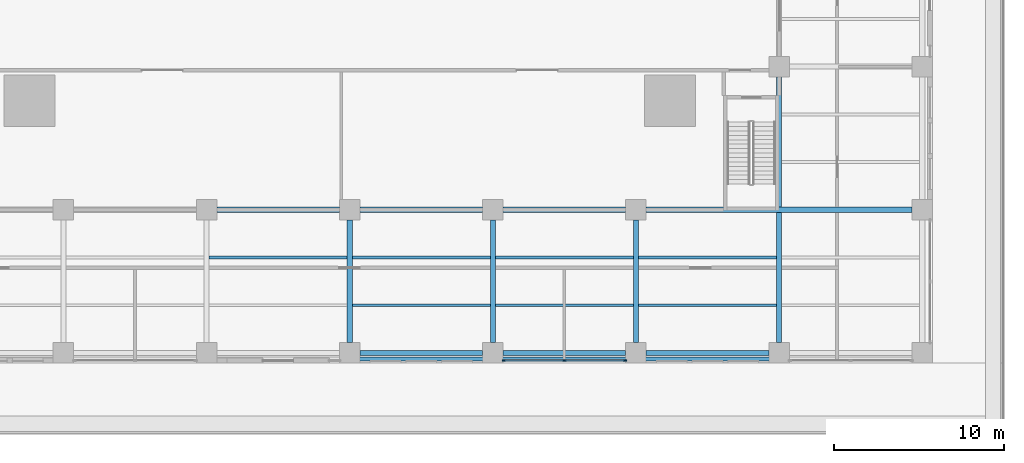
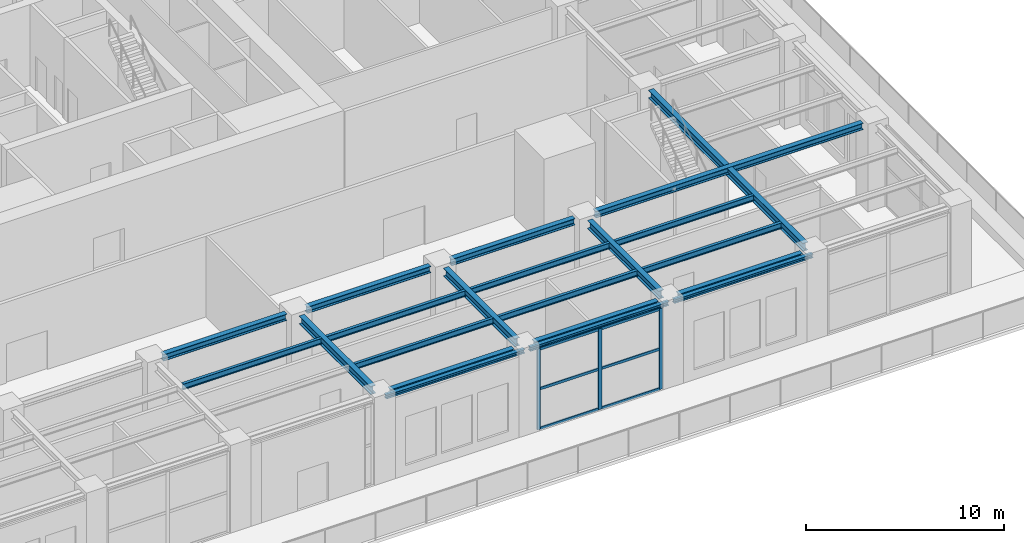
# One storey, part 3 of 36: 21 beams, 9 members, 1 element without a shape of its own.
"""IFC4 building model written with IfcOpenShell, lengths in metres."""

import ifcopenshell
import ifcopenshell.guid

model = None  # the IFC model being written
_history = None  # IfcOwnerHistory: only IFC2X3 demands one
_inside = {}  # id of a spatial element -> (the spatial element, [elements in it])
_under = {}  # id of a project, library or spatial element -> (it, [spatial elements below it])
_declared = {}  # id of a project -> (the project, [libraries it declares])
_typed = {}  # id of a type object -> (the type object, [elements of that type])
_made_of = {}  # id of a material, layer set ... -> (it, [elements and type objects made of it])


def new_model(schema):
    """Start an empty IFC model of exactly this schema.

    Asked for "IFC4X3", IfcOpenShell would pick the latest addendum, in which some entities
    have other attributes; the version numbers below select the first issue.
    IFC2X3 requires an IfcOwnerHistory on every rooted entity: one is made here for all.
    """
    global model, _history
    if schema == "IFC4X3":
        model = ifcopenshell.file(schema_version=(4, 3, 0, 0))
    else:
        model = ifcopenshell.file(schema=schema)
    _inside.clear()
    _under.clear()
    _declared.clear()
    _typed.clear()
    _made_of.clear()
    _history = None
    if model.schema == "IFC2X3":
        org = make("IfcOrganization", Name="unknown")
        user = make(
            "IfcPersonAndOrganization",
            ThePerson=make("IfcPerson", FamilyName="unknown"),
            TheOrganization=org,
        )
        app = make(
            "IfcApplication",
            ApplicationDeveloper=org,
            Version="unknown",
            ApplicationFullName="unknown",
            ApplicationIdentifier="unknown",
        )
        _history = make(
            "IfcOwnerHistory",
            OwningUser=user,
            OwningApplication=app,
            ChangeAction="ADDED",
            CreationDate=0,
        )
    return model


def make(cls, **values):
    """One entity of the class cls with the attributes given. An attribute that is None is left unset."""
    return model.create_entity(
        cls, **{name: value for name, value in values.items() if value is not None}
    )


def rooted(cls, **values):
    """An entity with a GlobalId (a new one), such as an element, a storey or a relation."""
    return make(cls, GlobalId=ifcopenshell.guid.new(), OwnerHistory=_history, **values)


def si_unit(unit_type, name, prefix=None):
    """IfcSIUnit, for example si_unit("LENGTHUNIT", "METRE", prefix="MILLI")."""
    return make("IfcSIUnit", UnitType=unit_type, Prefix=prefix, Name=name)


def assignment(units):
    """IfcUnitAssignment: the units of a project."""
    return None if units is None else make("IfcUnitAssignment", Units=units)


def point(xyz):
    """IfcCartesianPoint."""
    return None if xyz is None else make("IfcCartesianPoint", Coordinates=xyz)


def direction(xyz):
    """IfcDirection."""
    return None if xyz is None else make("IfcDirection", DirectionRatios=xyz)


def frame(location, z_axis=None, x_axis=None):
    """IfcAxis2Placement3D, a coordinate frame: its origin and axes. An axis left out is left unset."""
    return make(
        "IfcAxis2Placement3D",
        Location=point(location),
        Axis=direction(z_axis),
        RefDirection=direction(x_axis),
    )


def frame_2d(location, x_axis=None):
    """IfcAxis2Placement2D, a coordinate frame in the plane: its origin and x axis."""
    return make(
        "IfcAxis2Placement2D", Location=point(location), RefDirection=direction(x_axis)
    )


def origin():
    """The frame at (0, 0, 0) with its axes left unset."""
    return frame((0.0, 0.0, 0.0))


def origin_2d():
    """The frame at (0, 0) in the plane with its x axis left unset."""
    return frame_2d((0.0, 0.0))


def place(relative_to, where):
    """IfcLocalPlacement: puts the frame where relative to a parent placement (None: the world)."""
    return make(
        "IfcLocalPlacement", PlacementRelTo=relative_to, RelativePlacement=where
    )


def context(
    kind, dimensions, precision=None, world=None, true_north=None, identifier=None
):
    """IfcGeometricRepresentationContext, for example the 3D "Model" context."""
    return make(
        "IfcGeometricRepresentationContext",
        ContextIdentifier=identifier,
        ContextType=kind,
        CoordinateSpaceDimension=dimensions,
        Precision=precision,
        WorldCoordinateSystem=world,
        TrueNorth=true_north,
    )


def subcontext(parent, identifier, kind, view, scale=None):
    """IfcGeometricRepresentationSubContext, for example "Body" below "Model"."""
    return make(
        "IfcGeometricRepresentationSubContext",
        ContextIdentifier=identifier,
        ContextType=kind,
        ParentContext=parent,
        TargetScale=scale,
        TargetView=view,
    )


def project(units=None, contexts=None):
    """IfcProject with its units and contexts."""
    return rooted(
        "IfcProject",
        Name="project",
        RepresentationContexts=contexts,
        UnitsInContext=assignment(units),
    )


def spatial(cls, under=None, at=None, **own):
    """A site, building, storey or space (cls), placed at a placement, below another one or the project."""
    s = rooted(cls, ObjectPlacement=at, **own)
    if under is not None:
        _under.setdefault(under.id(), (under, []))[1].append(s)
    return s


def profile(cls, at=None, kind="AREA", **sizes):
    """A parametric profile (cls). Its sizes go by their IFC names, for example OverallWidth=200.0."""
    return make(cls, ProfileType=kind, Position=at, **sizes)


def rectangle(**sizes):
    """IfcRectangleProfileDef."""
    return profile("IfcRectangleProfileDef", **sizes)


def i_section(**sizes):
    """IfcIShapeProfileDef."""
    return profile("IfcIShapeProfileDef", **sizes)


def extrude(swept, where, along, depth):
    """IfcExtrudedAreaSolid: the profile swept, set in the frame where, extruded along a direction by depth."""
    return make(
        "IfcExtrudedAreaSolid",
        SweptArea=swept,
        Position=where,
        ExtrudedDirection=direction(along),
        Depth=depth,
    )


def shape(context_of_items, identifier, shape_type, items):
    """IfcShapeRepresentation: the items that make up one representation, for example the "Body"."""
    return make(
        "IfcShapeRepresentation",
        ContextOfItems=context_of_items,
        RepresentationIdentifier=identifier,
        RepresentationType=shape_type,
        Items=items,
    )


def material(Name=None, Category=None):
    """IfcMaterial."""
    return make("IfcMaterial", Name=Name, Category=Category)


def material_profile(
    of_material, cross_section, Name=None, Category=None, Priority=None
):
    """IfcMaterialProfile: a cross section and its material."""
    return make(
        "IfcMaterialProfile",
        Name=Name,
        Material=of_material,
        Profile=cross_section,
        Priority=Priority,
        Category=Category,
    )


def profile_set(profiles, Name=None, composite=None):
    """IfcMaterialProfileSet."""
    return make(
        "IfcMaterialProfileSet",
        Name=Name,
        MaterialProfiles=profiles,
        CompositeProfile=composite,
    )


def made_of(thing, what):
    """Note that an element or type object is made of a material, layer set ...; save() writes the relation."""
    if what is not None:
        _made_of.setdefault(what.id(), (what, []))[1].append(thing)
    return thing


def type_object(cls, material=None, **own):
    """A type object (cls), such as IfcWallType, which elements share."""
    return made_of(rooted(cls, **own), material)


def element(
    cls,
    number,
    at=None,
    inside=None,
    cuts=None,
    type_object=None,
    material=None,
    context=None,
    identifier="Body",
    shape_type=None,
    held_by="IfcProductDefinitionShape",
    body=None,
    shapes=None,
    **own,
):
    """One element of the class cls, such as IfcWall. Its Tag is "e" and its number.

    at: its placement. inside: the storey or other place that contains it. cuts: it is an
    opening in that element (IfcRelVoidsElement). A single representation is given by context,
    identifier, shape_type and body (its items); several are given by shapes. held_by: the class
    of the entity that holds the representations. save() writes the other relations.
    """
    e = rooted(cls, Tag="e%d" % number, ObjectPlacement=at, **own)
    if body is not None:
        shapes = [shape(context, identifier, shape_type, body)]
    if shapes is not None:
        e.Representation = make(held_by, Representations=shapes)
    if inside is not None:
        _inside.setdefault(inside.id(), (inside, []))[1].append(e)
    if cuts is not None:
        rooted(
            "IfcRelVoidsElement", RelatingBuildingElement=cuts, RelatedOpeningElement=e
        )
    if type_object is not None:
        _typed.setdefault(type_object.id(), (type_object, []))[1].append(e)
    return made_of(e, material)


def aggregate(whole, parts):
    """IfcRelAggregates: a whole, such as a stair, and the parts it consists of."""
    return rooted("IfcRelAggregates", RelatingObject=whole, RelatedObjects=parts)


def save(model, path):
    """Write the relations noted so far, then the file.

    IfcRelAggregates (storeys below a building ...), IfcRelContainedInSpatialStructure (elements
    in a storey), IfcRelDefinesByType, IfcRelAssociatesMaterial and IfcRelDeclares: one each for
    every whole, place, type object, material and project.
    """
    for whole, parts in _under.values():
        aggregate(whole, parts)
    for where, things in _inside.values():
        rooted(
            "IfcRelContainedInSpatialStructure",
            RelatedElements=things,
            RelatingStructure=where,
        )
    for kind, things in _typed.values():
        rooted("IfcRelDefinesByType", RelatedObjects=things, RelatingType=kind)
    for what, things in _made_of.values():
        rooted("IfcRelAssociatesMaterial", RelatedObjects=things, RelatingMaterial=what)
    for by, libraries in _declared.values():
        rooted("IfcRelDeclares", RelatingContext=by, RelatedDefinitions=libraries)
    model.write(path)


model = new_model("IFC4")

# Units and contexts
model_context = context("Model", 3, precision=1e-05, world=origin(), true_north=direction((0.0, 1.0)))
body_context = subcontext(model_context, "Body", "Model", "MODEL_VIEW")
ifc_project = project(units=[si_unit("LENGTHUNIT", "METRE"), si_unit("AREAUNIT", "SQUARE_METRE"), si_unit("VOLUMEUNIT", "CUBIC_METRE"), si_unit("PLANEANGLEUNIT", "RADIAN"), si_unit("MASSUNIT", "GRAM", prefix="KILO")], contexts=[model_context])

# Site, building, storey
site_placement = place(None, origin())
site = spatial("IfcSite", under=ifc_project, at=site_placement, CompositionType="ELEMENT")
building_placement = place(site_placement, origin())
building = spatial("IfcBuilding", under=site, at=building_placement, Name="Khepri Terraces", CompositionType="ELEMENT")
storey_placement = place(building_placement, frame((0.0, 0.0, 16.800048828125)))
storey = spatial("IfcBuildingStorey", under=building, at=storey_placement, Name="L03", CompositionType="ELEMENT", Elevation=16.800048828125)

# Curtain wall, members
ifc_material_1 = material(Name="Anodised aluminium bronze curtain wall", Category="aluminium")
curtain_wall_type = type_object("IfcCurtainWallType", Name="CW-SYS5-BALLROOM", PredefinedType="NOTDEFINED", material=ifc_material_1)
curtain_wall_placement = place(storey_placement, origin())
curtain_wall = element("IfcCurtainWall", 1, at=curtain_wall_placement, inside=storey, type_object=curtain_wall_type, Name="Curtain wall CW5 L03 S", PredefinedType="NOTDEFINED")
ifc_material_2 = material(Name="Anodised aluminium bronze", Category="aluminium")
ifc_material_profile_1 = material_profile(ifc_material_2, rectangle(XDim=0.080078125, YDim=0.199951171875, at=origin_2d()), Name="Anodised aluminium bronze", Category="aluminium")
ifc_profile_set_1 = profile_set([ifc_material_profile_1], Name="Anodised aluminium bronze")
member_type_1 = type_object("IfcMemberType", Name="CW-MULLION-80x200", PredefinedType="MULLION", material=ifc_profile_set_1)
member_1_placement = place(storey_placement, frame((9.0400390625, -34.050048828125, 0.0), z_axis=(0.0, 0.0, 1.0), x_axis=(0.0, 1.0, 0.0)))
member_1 = element("IfcMember", 2, at=member_1_placement, type_object=member_type_1, Name="CW5 mullion 1", PredefinedType="MULLION", context=body_context, shape_type="SweptSolid", body=[
    extrude(rectangle(XDim=0.080078125, YDim=0.199951171875, at=origin_2d()), origin(), (0.0, 0.0, 1.0), 4.97998046875),
])
member_2_placement = place(storey_placement, frame((12.60009765625, -34.050048828125, 0.0), z_axis=(0.0, 0.0, 1.0), x_axis=(0.0, 1.0, 0.0)))
member_2 = element("IfcMember", 3, at=member_2_placement, type_object=member_type_1, Name="CW5 mullion 2", PredefinedType="MULLION", context=body_context, shape_type="SweptSolid", body=[
    extrude(rectangle(XDim=0.080078125, YDim=0.199951171875, at=origin_2d()), origin(), (0.0, 0.0, 1.0), 4.97998046875),
])
member_3_placement = place(storey_placement, frame((16.159912109375, -34.050048828125, 0.0), z_axis=(0.0, 0.0, 1.0), x_axis=(0.0, 1.0, 0.0)))
member_3 = element("IfcMember", 4, at=member_3_placement, type_object=member_type_1, Name="CW5 mullion 3", PredefinedType="MULLION", context=body_context, shape_type="SweptSolid", body=[
    extrude(rectangle(XDim=0.080078125, YDim=0.199951171875, at=origin_2d()), origin(), (0.0, 0.0, 1.0), 4.97998046875),
])
ifc_material_profile_2 = material_profile(ifc_material_2, rectangle(XDim=0.080078125, YDim=0.159912109375, at=origin_2d()), Name="Anodised aluminium bronze", Category="aluminium")
ifc_profile_set_2 = profile_set([ifc_material_profile_2], Name="Anodised aluminium bronze")
member_type_2 = type_object("IfcMemberType", Name="CW-TRANSOM-80x160", PredefinedType="USERDEFINED", material=ifc_profile_set_2)
member_4_placement = place(storey_placement, frame((9.080078125, -34.050048828125, 0.0400390625), z_axis=(1.0, 0.0, 0.0), x_axis=(0.0, 1.0, 0.0)))
member_4 = element("IfcMember", 5, at=member_4_placement, type_object=member_type_2, Name="CW5 transom 1.1", ObjectType="TRANSOM", PredefinedType="USERDEFINED", context=body_context, shape_type="SweptSolid", body=[
    extrude(rectangle(XDim=0.080078125, YDim=0.159912109375, at=origin_2d()), origin(), (0.0, 0.0, 1.0), 3.47998046875),
])
member_5_placement = place(storey_placement, frame((9.080078125, -34.050048828125, 2.489990234375), z_axis=(1.0, 0.0, 0.0), x_axis=(0.0, 1.0, 0.0)))
member_5 = element("IfcMember", 6, at=member_5_placement, type_object=member_type_2, Name="CW5 transom 1.2", ObjectType="TRANSOM", PredefinedType="USERDEFINED", context=body_context, shape_type="SweptSolid", body=[
    extrude(rectangle(XDim=0.080078125, YDim=0.159912109375, at=origin_2d()), origin(), (0.0, 0.0, 1.0), 3.47998046875),
])
member_6_placement = place(storey_placement, frame((9.080078125, -34.050048828125, 4.93994140625), z_axis=(1.0, 0.0, 0.0), x_axis=(0.0, 1.0, 0.0)))
member_6 = element("IfcMember", 7, at=member_6_placement, type_object=member_type_2, Name="CW5 transom 1.3", ObjectType="TRANSOM", PredefinedType="USERDEFINED", context=body_context, shape_type="SweptSolid", body=[
    extrude(rectangle(XDim=0.080078125, YDim=0.159912109375, at=origin_2d()), origin(), (0.0, 0.0, 1.0), 3.47998046875),
])
member_7_placement = place(storey_placement, frame((12.639892578125, -34.050048828125, 0.0400390625), z_axis=(1.0, 0.0, 0.0), x_axis=(0.0, 1.0, 0.0)))
member_7 = element("IfcMember", 8, at=member_7_placement, type_object=member_type_2, Name="CW5 transom 2.1", ObjectType="TRANSOM", PredefinedType="USERDEFINED", context=body_context, shape_type="SweptSolid", body=[
    extrude(rectangle(XDim=0.080078125, YDim=0.159912109375, at=origin_2d()), origin(), (0.0, 0.0, 1.0), 3.480224609375),
])
member_8_placement = place(storey_placement, frame((12.639892578125, -34.050048828125, 2.489990234375), z_axis=(1.0, 0.0, 0.0), x_axis=(0.0, 1.0, 0.0)))
member_8 = element("IfcMember", 9, at=member_8_placement, type_object=member_type_2, Name="CW5 transom 2.2", ObjectType="TRANSOM", PredefinedType="USERDEFINED", context=body_context, shape_type="SweptSolid", body=[
    extrude(rectangle(XDim=0.080078125, YDim=0.159912109375, at=origin_2d()), origin(), (0.0, 0.0, 1.0), 3.480224609375),
])
member_9_placement = place(storey_placement, frame((12.639892578125, -34.050048828125, 4.93994140625), z_axis=(1.0, 0.0, 0.0), x_axis=(0.0, 1.0, 0.0)))
member_9 = element("IfcMember", 10, at=member_9_placement, type_object=member_type_2, Name="CW5 transom 2.3", ObjectType="TRANSOM", PredefinedType="USERDEFINED", context=body_context, shape_type="SweptSolid", body=[
    extrude(rectangle(XDim=0.080078125, YDim=0.159912109375, at=origin_2d()), origin(), (0.0, 0.0, 1.0), 3.480224609375),
])
aggregate(curtain_wall, [member_1, member_2, member_3, member_4, member_5, member_6, member_7, member_8, member_9])

# Beams
ifc_material_3 = material(Name="Steel S355", Category="steel")
ifc_material_profile_3 = material_profile(ifc_material_3, i_section(OverallWidth=0.239990234375, OverallDepth=0.22998046875, WebThickness=0.007568359375, FlangeThickness=0.011962890625, FilletRadius=0.02099609375, at=origin_2d()), Name="Steel S355", Category="steel")
ifc_profile_set_3 = profile_set([ifc_material_profile_3], Name="Steel S355")
beam_type_1 = type_object("IfcBeamType", Name="Podium edge beam L04 HEA 240", PredefinedType="SPANDREL", material=ifc_profile_set_3)
beam_1_placement = place(storey_placement, frame((0.14990234375, -33.949951171875, 5.0849609375), z_axis=(1.0, 0.0, 0.0), x_axis=(0.0, 1.0, 0.0)))
element("IfcBeam", 11, at=beam_1_placement, inside=storey, type_object=beam_type_1, Name="Podium edge beam L04 005", PredefinedType="SPANDREL", context=body_context, shape_type="SweptSolid", body=[
    extrude(i_section(OverallWidth=0.239990234375, OverallDepth=0.22998046875, WebThickness=0.007568359375, FlangeThickness=0.011962890625, FilletRadius=0.02099609375, at=origin_2d()), origin(), (0.0, 0.0, 1.0), 8.10009765625),
])
beam_2_placement = place(storey_placement, frame((8.550048828125, -33.949951171875, 5.0849609375), z_axis=(1.0, 0.0, 0.0), x_axis=(0.0, 1.0, 0.0)))
element("IfcBeam", 12, at=beam_2_placement, inside=storey, type_object=beam_type_1, Name="Podium edge beam L04 006", PredefinedType="SPANDREL", context=body_context, shape_type="SweptSolid", body=[
    extrude(i_section(OverallWidth=0.239990234375, OverallDepth=0.22998046875, WebThickness=0.007568359375, FlangeThickness=0.011962890625, FilletRadius=0.02099609375, at=origin_2d()), origin(), (0.0, 0.0, 1.0), 8.099853515625),
])
beam_3_placement = place(storey_placement, frame((16.949951171875, -33.949951171875, 5.0849609375), z_axis=(1.0, 0.0, 0.0), x_axis=(0.0, 1.0, 0.0)))
element("IfcBeam", 13, at=beam_3_placement, inside=storey, type_object=beam_type_1, Name="Podium edge beam L04 007", PredefinedType="SPANDREL", context=body_context, shape_type="SweptSolid", body=[
    extrude(i_section(OverallWidth=0.239990234375, OverallDepth=0.22998046875, WebThickness=0.007568359375, FlangeThickness=0.011962890625, FilletRadius=0.02099609375, at=origin_2d()), origin(), (0.0, 0.0, 1.0), 8.10009765625),
])
ifc_material_profile_4 = material_profile(ifc_material_3, i_section(OverallWidth=0.300048828125, OverallDepth=0.5, WebThickness=0.014404296875, FlangeThickness=0.028076171875, FilletRadius=0.027099609375, at=origin_2d()), Name="Steel S355", Category="steel")
ifc_profile_set_4 = profile_set([ifc_material_profile_4], Name="Steel S355")
beam_type_2 = type_object("IfcBeamType", Name="Podium girder L04 HEB 500", PredefinedType="BEAM", material=ifc_profile_set_4)
for number, where, z_axis, x_axis, name in (
    (14, (0.0, -33.0, 4.949951171875), (0.0, 1.0, 0.0), (-1.0, 0.0, 0.0), "Podium girder L04 019"),
    (15, (8.39990234375, -33.0, 4.949951171875), (0.0, 1.0, 0.0), (-1.0, 0.0, 0.0), "Podium girder L04 021"),
    (16, (16.800048828125, -33.0, 4.949951171875), (0.0, 1.0, 0.0), (-1.0, 0.0, 0.0), "Podium girder L04 023"),
):
    element("IfcBeam", number, at=place(storey_placement, frame(where, z_axis=z_axis, x_axis=x_axis)), inside=storey, type_object=beam_type_2, Name=name, PredefinedType="BEAM", context=body_context, shape_type="SweptSolid", body=[
        extrude(i_section(OverallWidth=0.300048828125, OverallDepth=0.5, WebThickness=0.014404296875, FlangeThickness=0.028076171875, FilletRadius=0.027099609375, at=origin_2d()), origin(), (0.0, 0.0, 1.0), 7.199951171875),
    ])
beam_4_placement = place(storey_placement, frame((25.199951171875, -33.0, 4.949951171875), z_axis=(0.0, 1.0, 0.0), x_axis=(-1.0, 0.0, 0.0)))
element("IfcBeam", 17, at=beam_4_placement, inside=storey, type_object=beam_type_2, Name="Podium girder L04 025", PredefinedType="BEAM", context=body_context, shape_type="SweptSolid", body=[
    extrude(i_section(OverallWidth=0.300048828125, OverallDepth=0.5, WebThickness=0.014404296875, FlangeThickness=0.028076171875, FilletRadius=0.027099609375, at=origin_2d()), origin(), (0.0, 0.0, 1.0), 15.60009765625),
])
ifc_material_profile_5 = material_profile(ifc_material_3, i_section(OverallWidth=0.300048828125, OverallDepth=0.39990234375, WebThickness=0.013427734375, FlangeThickness=0.02392578125, FilletRadius=0.027099609375, at=origin_2d()), Name="Steel S355", Category="steel")
ifc_profile_set_5 = profile_set([ifc_material_profile_5], Name="Steel S355")
beam_type_3 = type_object("IfcBeamType", Name="Podium girder L04 grid line HEB 400", PredefinedType="BEAM", material=ifc_profile_set_5)
for number, where, z_axis, x_axis, name in (
    (18, (0.60009765625, -33.60009765625, 5.0), (1.0, 0.0, 0.0), (0.0, 1.0, 0.0), "Podium grid-line girder L04 005"),
    (19, (9.0, -33.60009765625, 5.0), (1.0, 0.0, 0.0), (0.0, 1.0, 0.0), "Podium grid-line girder L04 006"),
):
    element("IfcBeam", number, at=place(storey_placement, frame(where, z_axis=z_axis, x_axis=x_axis)), inside=storey, type_object=beam_type_3, Name=name, PredefinedType="BEAM", context=body_context, shape_type="SweptSolid", body=[
        extrude(i_section(OverallWidth=0.300048828125, OverallDepth=0.39990234375, WebThickness=0.013427734375, FlangeThickness=0.02392578125, FilletRadius=0.027099609375, at=origin_2d()), origin(), (0.0, 0.0, 1.0), 7.199951171875),
    ])
beam_5_placement = place(storey_placement, frame((17.39990234375, -33.60009765625, 5.0), z_axis=(1.0, 0.0, 0.0), x_axis=(0.0, 1.0, 0.0)))
element("IfcBeam", 20, at=beam_5_placement, inside=storey, type_object=beam_type_3, Name="Podium grid-line girder L04 007", PredefinedType="BEAM", context=body_context, shape_type="SweptSolid", body=[
    extrude(i_section(OverallWidth=0.300048828125, OverallDepth=0.39990234375, WebThickness=0.013427734375, FlangeThickness=0.02392578125, FilletRadius=0.027099609375, at=origin_2d()), origin(), (0.0, 0.0, 1.0), 7.2001953125),
])
for number, where, z_axis, x_axis, name in (
    (21, (-7.800048828125, -25.199951171875, 5.0), (1.0, 0.0, 0.0), (0.0, 1.0, 0.0), "Podium grid-line girder L04 027"),
    (22, (0.60009765625, -25.199951171875, 5.0), (1.0, 0.0, 0.0), (0.0, 1.0, 0.0), "Podium grid-line girder L04 028"),
    (23, (9.0, -25.199951171875, 5.0), (1.0, 0.0, 0.0), (0.0, 1.0, 0.0), "Podium grid-line girder L04 029"),
):
    element("IfcBeam", number, at=place(storey_placement, frame(where, z_axis=z_axis, x_axis=x_axis)), inside=storey, type_object=beam_type_3, Name=name, PredefinedType="BEAM", context=body_context, shape_type="SweptSolid", body=[
        extrude(i_section(OverallWidth=0.300048828125, OverallDepth=0.39990234375, WebThickness=0.013427734375, FlangeThickness=0.02392578125, FilletRadius=0.027099609375, at=origin_2d()), origin(), (0.0, 0.0, 1.0), 7.199951171875),
    ])
beam_6_placement = place(storey_placement, frame((17.39990234375, -25.199951171875, 5.0), z_axis=(1.0, 0.0, 0.0), x_axis=(0.0, 1.0, 0.0)))
element("IfcBeam", 24, at=beam_6_placement, inside=storey, type_object=beam_type_3, Name="Podium grid-line girder L04 030", PredefinedType="BEAM", context=body_context, shape_type="SweptSolid", body=[
    extrude(i_section(OverallWidth=0.300048828125, OverallDepth=0.39990234375, WebThickness=0.013427734375, FlangeThickness=0.02392578125, FilletRadius=0.027099609375, at=origin_2d()), origin(), (0.0, 0.0, 1.0), 15.60009765625),
])
ifc_material_profile_6 = material_profile(ifc_material_3, i_section(OverallWidth=0.169921875, OverallDepth=0.360107421875, WebThickness=0.008056640625, FlangeThickness=0.0126953125, FilletRadius=0.01806640625, at=origin_2d()), Name="Steel S355", Category="steel")
ifc_profile_set_6 = profile_set([ifc_material_profile_6], Name="Steel S355")
beam_type_4 = type_object("IfcBeamType", Name="Podium joist L04 IPE 360", PredefinedType="JOIST", material=ifc_profile_set_6)
beam_7_placement = place(storey_placement, frame((0.14990234375, -30.800048828125, 5.02001953125), z_axis=(1.0, 0.0, 0.0), x_axis=(0.0, 1.0, 0.0)))
element("IfcBeam", 25, at=beam_7_placement, inside=storey, type_object=beam_type_4, Name="Podium joist L04 013", PredefinedType="JOIST", context=body_context, shape_type="SweptSolid", body=[
    extrude(i_section(OverallWidth=0.169921875, OverallDepth=0.360107421875, WebThickness=0.008056640625, FlangeThickness=0.0126953125, FilletRadius=0.01806640625, at=origin_2d()), origin(), (0.0, 0.0, 1.0), 8.10009765625),
])
beam_8_placement = place(storey_placement, frame((8.550048828125, -30.800048828125, 5.02001953125), z_axis=(1.0, 0.0, 0.0), x_axis=(0.0, 1.0, 0.0)))
element("IfcBeam", 26, at=beam_8_placement, inside=storey, type_object=beam_type_4, Name="Podium joist L04 014", PredefinedType="JOIST", context=body_context, shape_type="SweptSolid", body=[
    extrude(i_section(OverallWidth=0.169921875, OverallDepth=0.360107421875, WebThickness=0.008056640625, FlangeThickness=0.0126953125, FilletRadius=0.01806640625, at=origin_2d()), origin(), (0.0, 0.0, 1.0), 8.099853515625),
])
for number, where, z_axis, x_axis, name in (
    (27, (16.949951171875, -30.800048828125, 5.02001953125), (1.0, 0.0, 0.0), (0.0, 1.0, 0.0), "Podium joist L04 015"),
    (28, (-8.25, -28.0, 5.02001953125), (1.0, 0.0, 0.0), (0.0, 1.0, 0.0), "Podium joist L04 020"),
    (29, (0.14990234375, -28.0, 5.02001953125), (1.0, 0.0, 0.0), (0.0, 1.0, 0.0), "Podium joist L04 021"),
):
    element("IfcBeam", number, at=place(storey_placement, frame(where, z_axis=z_axis, x_axis=x_axis)), inside=storey, type_object=beam_type_4, Name=name, PredefinedType="JOIST", context=body_context, shape_type="SweptSolid", body=[
        extrude(i_section(OverallWidth=0.169921875, OverallDepth=0.360107421875, WebThickness=0.008056640625, FlangeThickness=0.0126953125, FilletRadius=0.01806640625, at=origin_2d()), origin(), (0.0, 0.0, 1.0), 8.10009765625),
    ])
beam_9_placement = place(storey_placement, frame((8.550048828125, -28.0, 5.02001953125), z_axis=(1.0, 0.0, 0.0), x_axis=(0.0, 1.0, 0.0)))
element("IfcBeam", 30, at=beam_9_placement, inside=storey, type_object=beam_type_4, Name="Podium joist L04 022", PredefinedType="JOIST", context=body_context, shape_type="SweptSolid", body=[
    extrude(i_section(OverallWidth=0.169921875, OverallDepth=0.360107421875, WebThickness=0.008056640625, FlangeThickness=0.0126953125, FilletRadius=0.01806640625, at=origin_2d()), origin(), (0.0, 0.0, 1.0), 8.099853515625),
])
beam_10_placement = place(storey_placement, frame((16.949951171875, -28.0, 5.02001953125), z_axis=(1.0, 0.0, 0.0), x_axis=(0.0, 1.0, 0.0)))
element("IfcBeam", 31, at=beam_10_placement, inside=storey, type_object=beam_type_4, Name="Podium joist L04 023", PredefinedType="JOIST", context=body_context, shape_type="SweptSolid", body=[
    extrude(i_section(OverallWidth=0.169921875, OverallDepth=0.360107421875, WebThickness=0.008056640625, FlangeThickness=0.0126953125, FilletRadius=0.01806640625, at=origin_2d()), origin(), (0.0, 0.0, 1.0), 8.10009765625),
])

save(model, "model.ifc")
